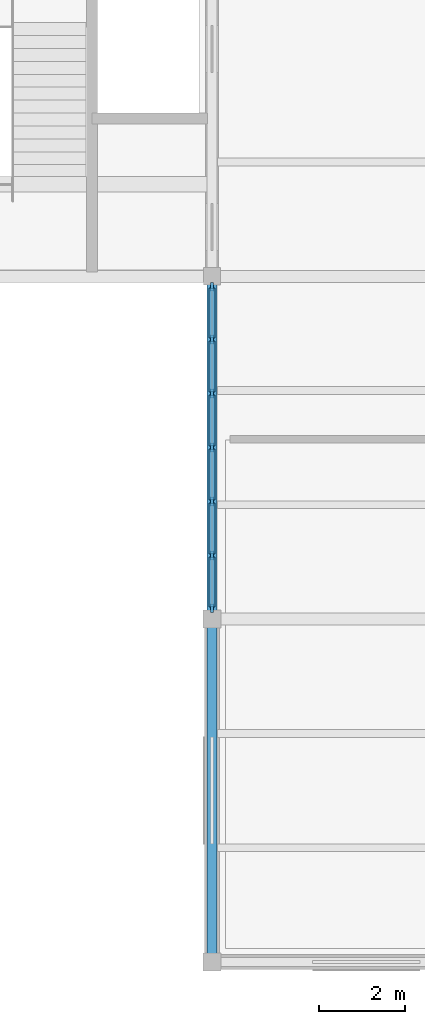
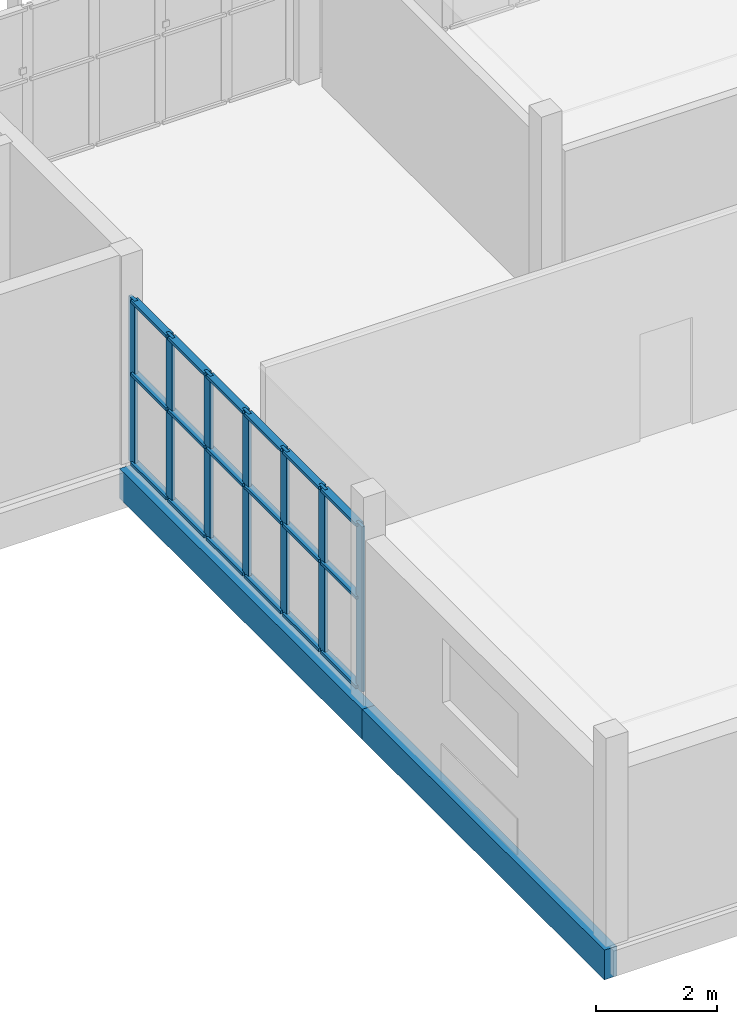
# One storey, part 3 of 45: 25 members, 2 beams, 1 element without a shape of its own.
"""IFC4 building model written with IfcOpenShell, lengths in metres."""

from ifc_helpers import new_model, si_unit, direction, frame, origin, origin_2d, place, context, subcontext, project, spatial, rectangle, extrude, material, layer, layer_set, material_profile, profile_set, type_object, element, aggregate, save


model = new_model("IFC4")

# Units and contexts
model_context = context("Model", 3, precision=1e-05, world=origin(), true_north=direction((0.0, 1.0)))
body_context = subcontext(model_context, "Body", "Model", "MODEL_VIEW")
ifc_project = project(units=[si_unit("LENGTHUNIT", "METRE"), si_unit("AREAUNIT", "SQUARE_METRE"), si_unit("VOLUMEUNIT", "CUBIC_METRE"), si_unit("PLANEANGLEUNIT", "RADIAN"), si_unit("MASSUNIT", "GRAM", prefix="KILO")], contexts=[model_context])

# Site, building, storey
site_placement = place(None, origin())
site = spatial("IfcSite", under=ifc_project, at=site_placement, CompositionType="ELEMENT")
building_placement = place(site_placement, origin())
building = spatial("IfcBuilding", under=site, at=building_placement, Name="Solvane Community Centre", CompositionType="ELEMENT")
storey_placement = place(building_placement, frame((0.0, 0.0, 13.800048828125)))
storey = spatial("IfcBuildingStorey", under=building, at=storey_placement, Name="L03", CompositionType="ELEMENT", Elevation=13.800048828125)

# Curtain wall, members
ifc_material_1 = material(Name="Anodised bronze aluminium AW-6063 T6", Category="aluminium")
ifc_layer = layer(ifc_material_1, 0.199951171875)
ifc_layer_set = layer_set([ifc_layer], Name="Anodised bronze aluminium AW-6063 T6")
curtain_wall_type = type_object("IfcCurtainWallType", Name="Courtyard Cloister Curtain Wall [76x33dm]", PredefinedType="NOTDEFINED", material=ifc_layer_set)
curtain_wall_placement = place(storey_placement, origin())
curtain_wall = element("IfcCurtainWall", 1, at=curtain_wall_placement, inside=storey, type_object=curtain_wall_type, Name="Curtain Wall CW-L03-680_142-220", PredefinedType="NOTDEFINED")
ifc_material_profile_1 = material_profile(ifc_material_1, rectangle(XDim=0.06005859375, YDim=0.199951171875, at=origin_2d()), Name="CW-M 60x200")
ifc_profile_set_1 = profile_set([ifc_material_profile_1], Name="Anodised bronze aluminium AW-6063 T6")
member_type_1 = type_object("IfcMemberType", Name="Cloister Mullion 60x200", PredefinedType="MULLION", material=ifc_profile_set_1)
member_1_placement = place(storey_placement, frame((68.0, 14.2548828125, 0.0), z_axis=(0.0, 0.0, 1.0), x_axis=(-1.0, 0.0, 0.0)))
member_1 = element("IfcMember", 2, at=member_1_placement, type_object=member_type_1, Name="CW03-76x33 mullion 1", PredefinedType="MULLION", context=body_context, shape_type="SweptSolid", body=[
    extrude(rectangle(XDim=0.06005859375, YDim=0.199951171875, at=origin_2d()), origin(), (0.0, 0.0, 1.0), 3.324951171875),
])
member_2_placement = place(storey_placement, frame((68.0, 15.485107421875, 0.0), z_axis=(0.0, 0.0, 1.0), x_axis=(-1.0, 0.0, 0.0)))
member_2 = element("IfcMember", 3, at=member_2_placement, type_object=member_type_1, Name="CW03-76x33 mullion 2", PredefinedType="MULLION", context=body_context, shape_type="SweptSolid", body=[
    extrude(rectangle(XDim=0.06005859375, YDim=0.199951171875, at=origin_2d()), origin(), (0.0, 0.0, 1.0), 3.324951171875),
])
member_3_placement = place(storey_placement, frame((68.0, 16.7451171875, 0.0), z_axis=(0.0, 0.0, 1.0), x_axis=(-1.0, 0.0, 0.0)))
member_3 = element("IfcMember", 4, at=member_3_placement, type_object=member_type_1, Name="CW03-76x33 mullion 3", PredefinedType="MULLION", context=body_context, shape_type="SweptSolid", body=[
    extrude(rectangle(XDim=0.06005859375, YDim=0.199951171875, at=origin_2d()), origin(), (0.0, 0.0, 1.0), 3.324951171875),
])
member_4_placement = place(storey_placement, frame((68.0, 18.0048828125, 0.0), z_axis=(0.0, 0.0, 1.0), x_axis=(-1.0, 0.0, 0.0)))
member_4 = element("IfcMember", 5, at=member_4_placement, type_object=member_type_1, Name="CW03-76x33 mullion 4", PredefinedType="MULLION", context=body_context, shape_type="SweptSolid", body=[
    extrude(rectangle(XDim=0.06005859375, YDim=0.199951171875, at=origin_2d()), origin(), (0.0, 0.0, 1.0), 3.324951171875),
])
member_5_placement = place(storey_placement, frame((68.0, 19.264892578125, 0.0), z_axis=(0.0, 0.0, 1.0), x_axis=(-1.0, 0.0, 0.0)))
member_5 = element("IfcMember", 6, at=member_5_placement, type_object=member_type_1, Name="CW03-76x33 mullion 5", PredefinedType="MULLION", context=body_context, shape_type="SweptSolid", body=[
    extrude(rectangle(XDim=0.06005859375, YDim=0.199951171875, at=origin_2d()), origin(), (0.0, 0.0, 1.0), 3.324951171875),
])
member_6_placement = place(storey_placement, frame((68.0, 20.52490234375, 0.0), z_axis=(0.0, 0.0, 1.0), x_axis=(-1.0, 0.0, 0.0)))
member_6 = element("IfcMember", 7, at=member_6_placement, type_object=member_type_1, Name="CW03-76x33 mullion 6", PredefinedType="MULLION", context=body_context, shape_type="SweptSolid", body=[
    extrude(rectangle(XDim=0.06005859375, YDim=0.199951171875, at=origin_2d()), origin(), (0.0, 0.0, 1.0), 3.324951171875),
])
member_7_placement = place(storey_placement, frame((68.0, 21.7548828125, 0.0), z_axis=(0.0, 0.0, 1.0), x_axis=(-1.0, 0.0, 0.0)))
member_7 = element("IfcMember", 8, at=member_7_placement, type_object=member_type_1, Name="CW03-76x33 mullion 7", PredefinedType="MULLION", context=body_context, shape_type="SweptSolid", body=[
    extrude(rectangle(XDim=0.06005859375, YDim=0.199951171875, at=origin_2d()), origin(), (0.0, 0.0, 1.0), 3.324951171875),
])
ifc_material_profile_2 = material_profile(ifc_material_1, rectangle(XDim=0.139892578125, YDim=0.06005859375, at=origin_2d()), Name="CW-T 60x140")
ifc_profile_set_2 = profile_set([ifc_material_profile_2], Name="Anodised bronze aluminium AW-6063 T6")
member_type_2 = type_object("IfcMemberType", Name="Cloister Transom 60x140", PredefinedType="USERDEFINED", material=ifc_profile_set_2)
member_8_placement = place(storey_placement, frame((68.0, 14.284912109375, 0.030029296875), z_axis=(0.0, 1.0, 0.0), x_axis=(-1.0, 0.0, 0.0)))
member_8 = element("IfcMember", 9, at=member_8_placement, type_object=member_type_2, Name="CW03-76x33 transom 1.1", ObjectType="TRANSOM", PredefinedType="USERDEFINED", context=body_context, shape_type="SweptSolid", body=[
    extrude(rectangle(XDim=0.139892578125, YDim=0.06005859375, at=origin_2d()), origin(), (0.0, 0.0, 1.0), 1.170166015625),
])
member_9_placement = place(storey_placement, frame((68.0, 14.284912109375, 1.828857421875), z_axis=(0.0, 1.0, 0.0), x_axis=(-1.0, 0.0, 0.0)))
member_9 = element("IfcMember", 10, at=member_9_placement, type_object=member_type_2, Name="CW03-76x33 transom 1.2", ObjectType="TRANSOM", PredefinedType="USERDEFINED", context=body_context, shape_type="SweptSolid", body=[
    extrude(rectangle(XDim=0.139892578125, YDim=0.06005859375, at=origin_2d()), origin(), (0.0, 0.0, 1.0), 1.170166015625),
])
member_10_placement = place(storey_placement, frame((68.0, 14.284912109375, 3.294921875), z_axis=(0.0, 1.0, 0.0), x_axis=(-1.0, 0.0, 0.0)))
member_10 = element("IfcMember", 11, at=member_10_placement, type_object=member_type_2, Name="CW03-76x33 transom 1.3", ObjectType="TRANSOM", PredefinedType="USERDEFINED", context=body_context, shape_type="SweptSolid", body=[
    extrude(rectangle(XDim=0.139892578125, YDim=0.06005859375, at=origin_2d()), origin(), (0.0, 0.0, 1.0), 1.170166015625),
])
member_11_placement = place(storey_placement, frame((68.0, 15.514892578125, 0.030029296875), z_axis=(0.0, 1.0, 0.0), x_axis=(-1.0, 0.0, 0.0)))
member_11 = element("IfcMember", 12, at=member_11_placement, type_object=member_type_2, Name="CW03-76x33 transom 2.1", ObjectType="TRANSOM", PredefinedType="USERDEFINED", context=body_context, shape_type="SweptSolid", body=[
    extrude(rectangle(XDim=0.139892578125, YDim=0.06005859375, at=origin_2d()), origin(), (0.0, 0.0, 1.0), 1.2001953125),
])
member_12_placement = place(storey_placement, frame((68.0, 15.514892578125, 1.828857421875), z_axis=(0.0, 1.0, 0.0), x_axis=(-1.0, 0.0, 0.0)))
member_12 = element("IfcMember", 13, at=member_12_placement, type_object=member_type_2, Name="CW03-76x33 transom 2.2", ObjectType="TRANSOM", PredefinedType="USERDEFINED", context=body_context, shape_type="SweptSolid", body=[
    extrude(rectangle(XDim=0.139892578125, YDim=0.06005859375, at=origin_2d()), origin(), (0.0, 0.0, 1.0), 1.2001953125),
])
member_13_placement = place(storey_placement, frame((68.0, 15.514892578125, 3.294921875), z_axis=(0.0, 1.0, 0.0), x_axis=(-1.0, 0.0, 0.0)))
member_13 = element("IfcMember", 14, at=member_13_placement, type_object=member_type_2, Name="CW03-76x33 transom 2.3", ObjectType="TRANSOM", PredefinedType="USERDEFINED", context=body_context, shape_type="SweptSolid", body=[
    extrude(rectangle(XDim=0.139892578125, YDim=0.06005859375, at=origin_2d()), origin(), (0.0, 0.0, 1.0), 1.2001953125),
])
member_14_placement = place(storey_placement, frame((68.0, 16.77490234375, 0.030029296875), z_axis=(0.0, 1.0, 0.0), x_axis=(-1.0, 0.0, 0.0)))
member_14 = element("IfcMember", 15, at=member_14_placement, type_object=member_type_2, Name="CW03-76x33 transom 3.1", ObjectType="TRANSOM", PredefinedType="USERDEFINED", context=body_context, shape_type="SweptSolid", body=[
    extrude(rectangle(XDim=0.139892578125, YDim=0.06005859375, at=origin_2d()), origin(), (0.0, 0.0, 1.0), 1.2001953125),
])
member_15_placement = place(storey_placement, frame((68.0, 16.77490234375, 1.828857421875), z_axis=(0.0, 1.0, 0.0), x_axis=(-1.0, 0.0, 0.0)))
member_15 = element("IfcMember", 16, at=member_15_placement, type_object=member_type_2, Name="CW03-76x33 transom 3.2", ObjectType="TRANSOM", PredefinedType="USERDEFINED", context=body_context, shape_type="SweptSolid", body=[
    extrude(rectangle(XDim=0.139892578125, YDim=0.06005859375, at=origin_2d()), origin(), (0.0, 0.0, 1.0), 1.2001953125),
])
member_16_placement = place(storey_placement, frame((68.0, 16.77490234375, 3.294921875), z_axis=(0.0, 1.0, 0.0), x_axis=(-1.0, 0.0, 0.0)))
member_16 = element("IfcMember", 17, at=member_16_placement, type_object=member_type_2, Name="CW03-76x33 transom 3.3", ObjectType="TRANSOM", PredefinedType="USERDEFINED", context=body_context, shape_type="SweptSolid", body=[
    extrude(rectangle(XDim=0.139892578125, YDim=0.06005859375, at=origin_2d()), origin(), (0.0, 0.0, 1.0), 1.2001953125),
])
member_17_placement = place(storey_placement, frame((68.0, 18.034912109375, 0.030029296875), z_axis=(0.0, 1.0, 0.0), x_axis=(-1.0, 0.0, 0.0)))
member_17 = element("IfcMember", 18, at=member_17_placement, type_object=member_type_2, Name="CW03-76x33 transom 4.1", ObjectType="TRANSOM", PredefinedType="USERDEFINED", context=body_context, shape_type="SweptSolid", body=[
    extrude(rectangle(XDim=0.139892578125, YDim=0.06005859375, at=origin_2d()), origin(), (0.0, 0.0, 1.0), 1.2001953125),
])
member_18_placement = place(storey_placement, frame((68.0, 18.034912109375, 1.828857421875), z_axis=(0.0, 1.0, 0.0), x_axis=(-1.0, 0.0, 0.0)))
member_18 = element("IfcMember", 19, at=member_18_placement, type_object=member_type_2, Name="CW03-76x33 transom 4.2", ObjectType="TRANSOM", PredefinedType="USERDEFINED", context=body_context, shape_type="SweptSolid", body=[
    extrude(rectangle(XDim=0.139892578125, YDim=0.06005859375, at=origin_2d()), origin(), (0.0, 0.0, 1.0), 1.2001953125),
])
member_19_placement = place(storey_placement, frame((68.0, 18.034912109375, 3.294921875), z_axis=(0.0, 1.0, 0.0), x_axis=(-1.0, 0.0, 0.0)))
member_19 = element("IfcMember", 20, at=member_19_placement, type_object=member_type_2, Name="CW03-76x33 transom 4.3", ObjectType="TRANSOM", PredefinedType="USERDEFINED", context=body_context, shape_type="SweptSolid", body=[
    extrude(rectangle(XDim=0.139892578125, YDim=0.06005859375, at=origin_2d()), origin(), (0.0, 0.0, 1.0), 1.2001953125),
])
member_20_placement = place(storey_placement, frame((68.0, 19.294921875, 0.030029296875), z_axis=(0.0, 1.0, 0.0), x_axis=(-1.0, 0.0, 0.0)))
member_20 = element("IfcMember", 21, at=member_20_placement, type_object=member_type_2, Name="CW03-76x33 transom 5.1", ObjectType="TRANSOM", PredefinedType="USERDEFINED", context=body_context, shape_type="SweptSolid", body=[
    extrude(rectangle(XDim=0.139892578125, YDim=0.06005859375, at=origin_2d()), origin(), (0.0, 0.0, 1.0), 1.2001953125),
])
member_21_placement = place(storey_placement, frame((68.0, 19.294921875, 1.828857421875), z_axis=(0.0, 1.0, 0.0), x_axis=(-1.0, 0.0, 0.0)))
member_21 = element("IfcMember", 22, at=member_21_placement, type_object=member_type_2, Name="CW03-76x33 transom 5.2", ObjectType="TRANSOM", PredefinedType="USERDEFINED", context=body_context, shape_type="SweptSolid", body=[
    extrude(rectangle(XDim=0.139892578125, YDim=0.06005859375, at=origin_2d()), origin(), (0.0, 0.0, 1.0), 1.2001953125),
])
member_22_placement = place(storey_placement, frame((68.0, 19.294921875, 3.294921875), z_axis=(0.0, 1.0, 0.0), x_axis=(-1.0, 0.0, 0.0)))
member_22 = element("IfcMember", 23, at=member_22_placement, type_object=member_type_2, Name="CW03-76x33 transom 5.3", ObjectType="TRANSOM", PredefinedType="USERDEFINED", context=body_context, shape_type="SweptSolid", body=[
    extrude(rectangle(XDim=0.139892578125, YDim=0.06005859375, at=origin_2d()), origin(), (0.0, 0.0, 1.0), 1.2001953125),
])
member_23_placement = place(storey_placement, frame((68.0, 20.554931640625, 0.030029296875), z_axis=(0.0, 1.0, 0.0), x_axis=(-1.0, 0.0, 0.0)))
member_23 = element("IfcMember", 24, at=member_23_placement, type_object=member_type_2, Name="CW03-76x33 transom 6.1", ObjectType="TRANSOM", PredefinedType="USERDEFINED", context=body_context, shape_type="SweptSolid", body=[
    extrude(rectangle(XDim=0.139892578125, YDim=0.06005859375, at=origin_2d()), origin(), (0.0, 0.0, 1.0), 1.170166015625),
])
member_24_placement = place(storey_placement, frame((68.0, 20.554931640625, 1.828857421875), z_axis=(0.0, 1.0, 0.0), x_axis=(-1.0, 0.0, 0.0)))
member_24 = element("IfcMember", 25, at=member_24_placement, type_object=member_type_2, Name="CW03-76x33 transom 6.2", ObjectType="TRANSOM", PredefinedType="USERDEFINED", context=body_context, shape_type="SweptSolid", body=[
    extrude(rectangle(XDim=0.139892578125, YDim=0.06005859375, at=origin_2d()), origin(), (0.0, 0.0, 1.0), 1.170166015625),
])
member_25_placement = place(storey_placement, frame((68.0, 20.554931640625, 3.294921875), z_axis=(0.0, 1.0, 0.0), x_axis=(-1.0, 0.0, 0.0)))
member_25 = element("IfcMember", 26, at=member_25_placement, type_object=member_type_2, Name="CW03-76x33 transom 6.3", ObjectType="TRANSOM", PredefinedType="USERDEFINED", context=body_context, shape_type="SweptSolid", body=[
    extrude(rectangle(XDim=0.139892578125, YDim=0.06005859375, at=origin_2d()), origin(), (0.0, 0.0, 1.0), 1.170166015625),
])
aggregate(curtain_wall, [member_1, member_2, member_3, member_4, member_5, member_6, member_7, member_8, member_9, member_10, member_11, member_12, member_13, member_14, member_15, member_16, member_17, member_18, member_19, member_20, member_21, member_22, member_23, member_24, member_25])

# Beams
ifc_material_2 = material(Name="Glulam GL28h", Category="wood")
ifc_material_profile_3 = material_profile(ifc_material_2, rectangle(XDim=0.239990234375, YDim=0.60009765625, at=origin_2d()), Name="GL28h 240x600")
ifc_profile_set_3 = profile_set([ifc_material_profile_3], Name="Glulam GL28h")
beam_type = type_object("IfcBeamType", Name="Glulam Floor Beam 240x600", PredefinedType="BEAM", material=ifc_profile_set_3)
for number, where, z_axis, x_axis, name in (
    (27, (68.0, 6.0, -0.52001953125), (0.0, 1.0, 0.0), (-1.0, 0.0, 0.0), "Beam BM-L03-680_60-680_140"),
    (28, (68.0, 14.0, -0.52001953125), (0.0, 1.0, 0.0), (-1.0, 0.0, 0.0), "Beam BM-L03-680_140-680_220"),
):
    element("IfcBeam", number, at=place(storey_placement, frame(where, z_axis=z_axis, x_axis=x_axis)), inside=storey, type_object=beam_type, Name=name, PredefinedType="BEAM", context=body_context, shape_type="SweptSolid", body=[
        extrude(rectangle(XDim=0.239990234375, YDim=0.60009765625, at=origin_2d()), origin(), (0.0, 0.0, 1.0), 8.0),
    ])

save(model, "model.ifc")
